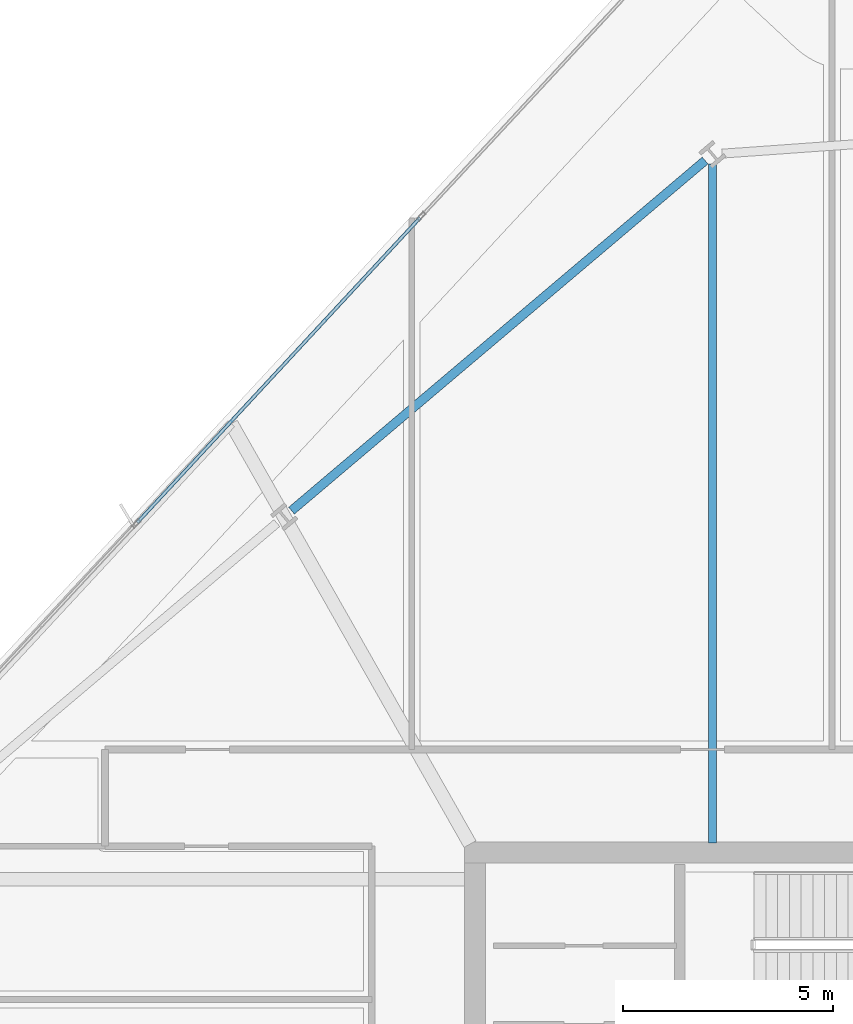
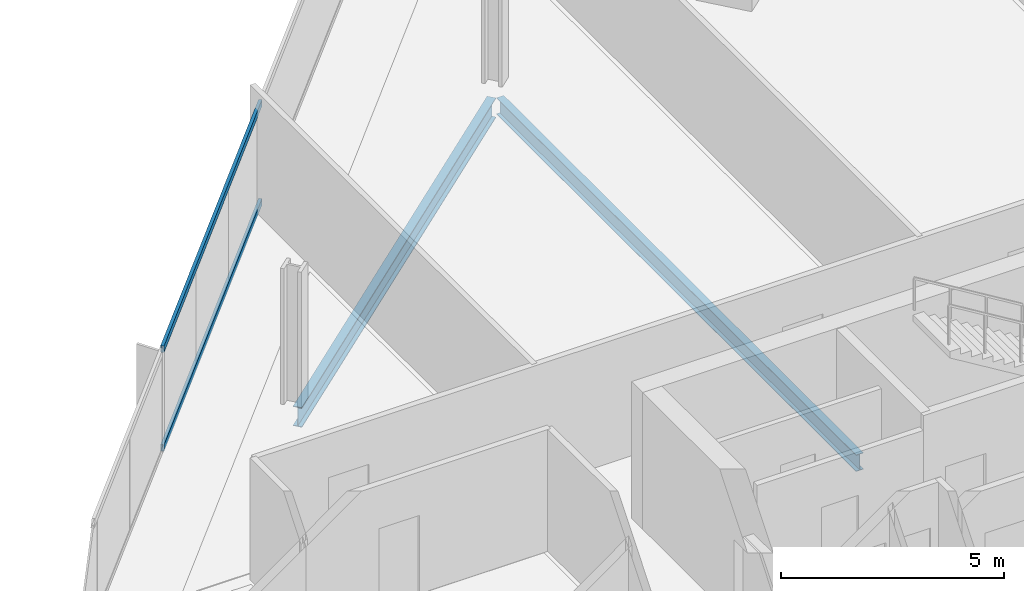
# One storey, part 16 of 32: 2 beams, 2 members, 1 element without a shape of its own.
"""IFC4 building model written with IfcOpenShell, lengths in metres."""

from ifc_helpers import new_model, si_unit, direction, frame, origin, origin_2d, place, context, subcontext, project, spatial, hollow_rectangle, i_section, extrude, material, material_profile, profile_set, type_object, element, aggregate, save


model = new_model("IFC4")

# Units and contexts
model_context = context("Model", 3, precision=1e-05, world=origin(), true_north=direction((0.0, 1.0)))
body_context = subcontext(model_context, "Body", "Model", "MODEL_VIEW")
ifc_project = project(units=[si_unit("LENGTHUNIT", "METRE"), si_unit("AREAUNIT", "SQUARE_METRE"), si_unit("VOLUMEUNIT", "CUBIC_METRE"), si_unit("PLANEANGLEUNIT", "RADIAN"), si_unit("MASSUNIT", "GRAM", prefix="KILO")], contexts=[model_context])

# Site, building, storey
site_placement = place(None, origin())
site = spatial("IfcSite", under=ifc_project, at=site_placement, CompositionType="ELEMENT")
building_placement = place(site_placement, origin())
building = spatial("IfcBuilding", under=site, at=building_placement, Name="Haldenkirk Collegiate Tower", CompositionType="ELEMENT")
storey_placement = place(building_placement, frame((0.0, 0.0, 185.699951171875)))
storey = spatial("IfcBuildingStorey", under=building, at=storey_placement, Name="L46", CompositionType="ELEMENT", Elevation=185.699951171875)

# Beams
ifc_material_1 = material(Name="Steel ASTM A992 Grade 50", Category="steel")
ifc_material_profile_1 = material_profile(ifc_material_1, i_section(OverallWidth=0.18994140625, OverallDepth=0.45703125, WebThickness=0.009033203125, FlangeThickness=0.014404296875, at=origin_2d()), Name="W18X50")
ifc_profile_set_1 = profile_set([ifc_material_profile_1], Name="Steel ASTM A992 Grade 50")
beam_type_1 = type_object("IfcBeamType", Name="BM-JOIST-W18X50", PredefinedType="JOIST", material=ifc_profile_set_1)
beam_1_placement = place(storey_placement, frame((32.657470703125, 50.390380859375, -0.5185546875), z_axis=(0.0, -1.0, 0.0), x_axis=(1.0, 0.0, 0.0)))
element("IfcBeam", 1, at=beam_1_placement, inside=storey, type_object=beam_type_1, Name="L46 composite floor joist 11", PredefinedType="JOIST", context=body_context, shape_type="SweptSolid", body=[
    extrude(i_section(OverallWidth=0.18994140625, OverallDepth=0.45703125, WebThickness=0.009033203125, FlangeThickness=0.014404296875, at=origin_2d()), origin(), (0.0, 0.0, 1.0), 16.160400390625),
])
ifc_material_profile_2 = material_profile(ifc_material_1, i_section(OverallWidth=0.2119140625, OverallDepth=0.5439453125, WebThickness=0.01318359375, FlangeThickness=0.021240234375, at=origin_2d()), Name="W21X83")
ifc_profile_set_2 = profile_set([ifc_material_profile_2], Name="Steel ASTM A992 Grade 50")
beam_type_2 = type_object("IfcBeamType", Name="BM-SPANDREL-W21X83", PredefinedType="SPANDREL", material=ifc_profile_set_2)
beam_2_placement = place(storey_placement, frame((32.482666015625, 50.471435546875, -0.56201171875), z_axis=(-0.763233335078, -0.646122957514, 0.0), x_axis=(0.646122957514, -0.763233335078, 0.0)))
element("IfcBeam", 2, at=beam_2_placement, inside=storey, type_object=beam_type_2, Name="L46 perimeter spandrel beam 10", PredefinedType="SPANDREL", context=body_context, shape_type="SweptSolid", body=[
    extrude(i_section(OverallWidth=0.2119140625, OverallDepth=0.5439453125, WebThickness=0.01318359375, FlangeThickness=0.021240234375, at=origin_2d()), origin(), (0.0, 0.0, 1.0), 12.898193359375),
])

# Curtain wall, members
ifc_material_2 = material(Name="Anodised architectural bronze aluminium", Category="aluminium")
curtain_wall_type = type_object("IfcCurtainWallType", Name="CW-SYS1-CONVEX-LOW", PredefinedType="USERDEFINED", material=ifc_material_2)
curtain_wall_placement = place(storey_placement, origin())
curtain_wall = element("IfcCurtainWall", 3, at=curtain_wall_placement, inside=storey, type_object=curtain_wall_type, Name="L46 Lower tower convex bronze-framed unitised curtain wall", ObjectType="UNITISED CURTAIN WALL", PredefinedType="USERDEFINED")
ifc_material_profile_3 = material_profile(ifc_material_2, hollow_rectangle(XDim=0.080078125, YDim=0.179931640625, WallThickness=0.0048828125, at=origin_2d()), Name="CW-TRN-1A")
ifc_profile_set_3 = profile_set([ifc_material_profile_3], Name="Anodised architectural bronze aluminium")
member_type = type_object("IfcMemberType", Name="CW-TRN-1A", PredefinedType="USERDEFINED", material=ifc_profile_set_3)
member_1_placement = place(storey_placement, frame((18.967041015625, 41.854736328125, 0.0400390625), z_axis=(0.680085719685, 0.733132603204, 0.0), x_axis=(-0.733132603204, 0.680085719685, 0.0)))
member_1 = element("IfcMember", 4, at=member_1_placement, type_object=member_type, Name="CW-1A transom 3.1", ObjectType="TRANSOM", PredefinedType="USERDEFINED", context=body_context, shape_type="SweptSolid", body=[
    extrude(hollow_rectangle(XDim=0.080078125, YDim=0.179931640625, WallThickness=0.0048828125, at=origin_2d()), origin(), (0.0, 0.0, 1.0), 9.89501953125),
])
member_2_placement = place(storey_placement, frame((18.967041015625, 41.854736328125, 2.7509765625), z_axis=(0.680085719685, 0.733132603204, 0.0), x_axis=(-0.733132603204, 0.680085719685, 0.0)))
member_2 = element("IfcMember", 5, at=member_2_placement, type_object=member_type, Name="CW-1A transom 3.2", ObjectType="TRANSOM", PredefinedType="USERDEFINED", context=body_context, shape_type="SweptSolid", body=[
    extrude(hollow_rectangle(XDim=0.080078125, YDim=0.179931640625, WallThickness=0.0048828125, at=origin_2d()), origin(), (0.0, 0.0, 1.0), 9.89501953125),
])
aggregate(curtain_wall, [member_1, member_2])

save(model, "model.ifc")
